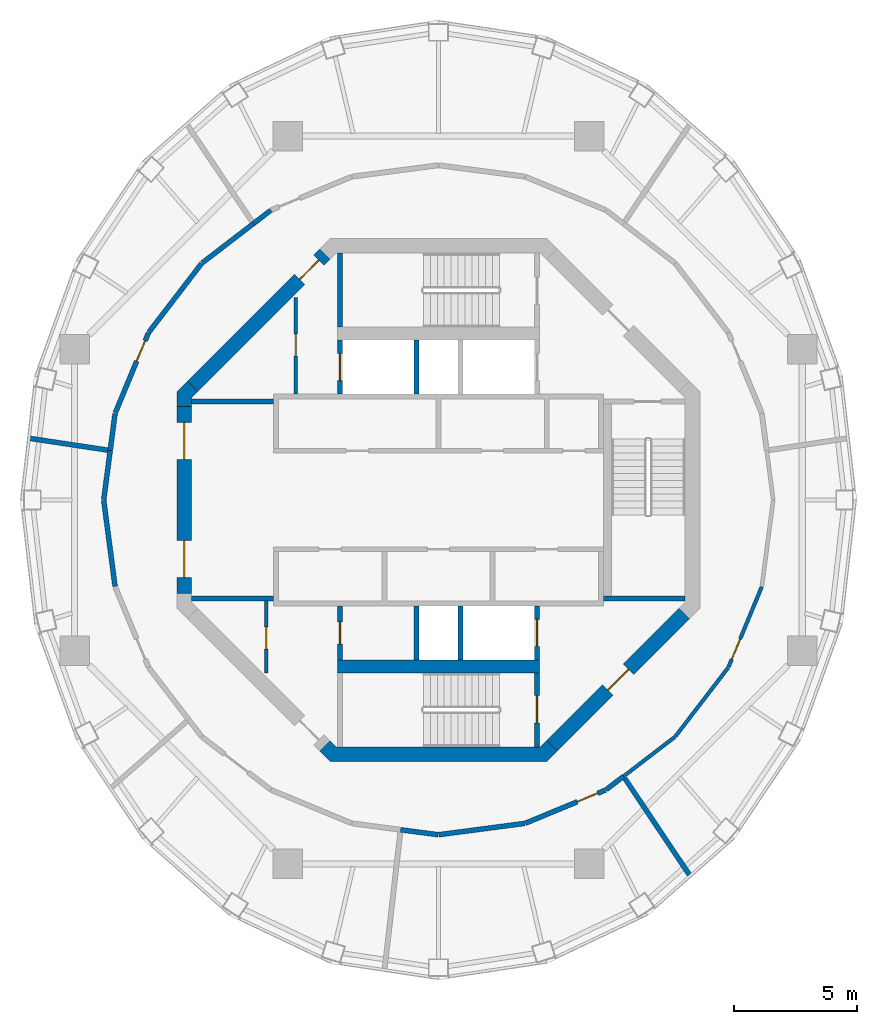
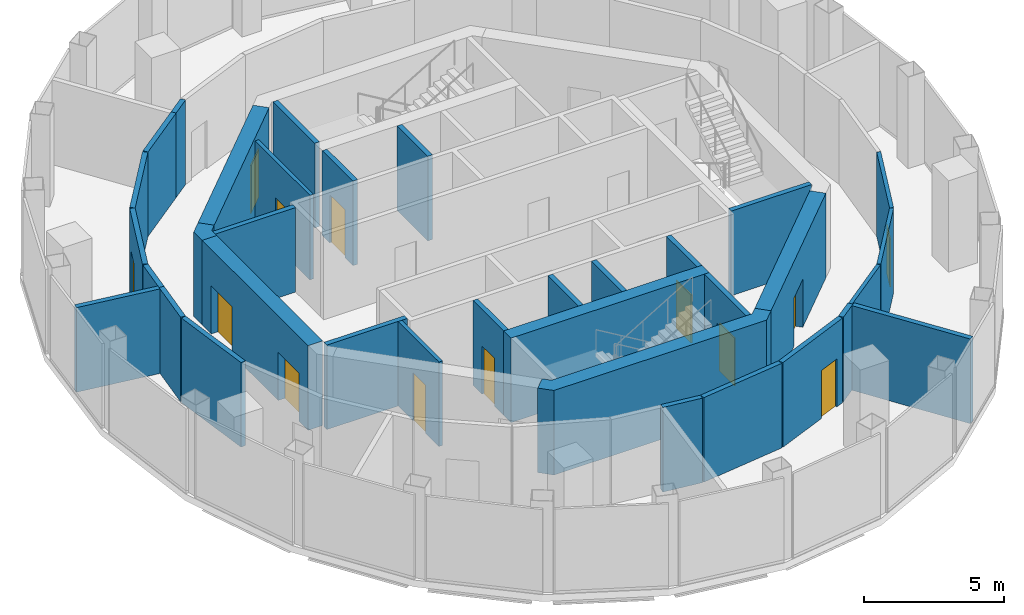
# One storey, part 8 of 11: 35 walls, 13 doors, 13 openings.
"""IFC4 building model written with IfcOpenShell, lengths in metres."""

from ifc_helpers import new_model, si_unit, direction, frame, frame_2d, origin, place, context, subcontext, project, spatial, polyline, rectangle, outline, extrude, material, layer, layer_set, type_object, element, fill, save


model = new_model("IFC4")

# Units and contexts
model_context = context("Model", 3, precision=1e-05, world=origin(), true_north=direction((0.0, 1.0)))
body_context = subcontext(model_context, "Body", "Model", "MODEL_VIEW")
ifc_project = project(units=[si_unit("LENGTHUNIT", "METRE"), si_unit("AREAUNIT", "SQUARE_METRE"), si_unit("VOLUMEUNIT", "CUBIC_METRE"), si_unit("PLANEANGLEUNIT", "RADIAN"), si_unit("MASSUNIT", "GRAM", prefix="KILO")], contexts=[model_context])

# Site, building, storey
site_placement = place(None, origin())
site = spatial("IfcSite", under=ifc_project, at=site_placement, CompositionType="ELEMENT")
building_placement = place(site_placement, origin())
building = spatial("IfcBuilding", under=site, at=building_placement, Name="Nagisa Residences", CompositionType="ELEMENT")
storey_placement = place(building_placement, frame((0.0, 0.0, 336.89990234375)))
storey = spatial("IfcBuildingStorey", under=building, at=storey_placement, Name="L83", CompositionType="ELEMENT", Elevation=336.89990234375)

# Wall, opening, door
ifc_material_1 = material(Name="Gypsum board on steel studs", Category="steel")
ifc_layer_1 = layer(ifc_material_1, 0.14990234375)
ifc_layer_set_1 = layer_set([ifc_layer_1], Name="Core partition 150")
wall_type_1 = type_object("IfcWallType", Name="Core partition 150", PredefinedType="PARTITIONING", material=ifc_layer_set_1)
wall_1_placement = place(storey_placement, frame((-5.800048828125, 4.300048828125, 0.0), z_axis=(0.0, 0.0, 1.0), x_axis=(0.0, 1.0, 0.0)))
wall_1 = element("IfcWall", 1, at=wall_1_placement, inside=storey, type_object=wall_type_1, Name="wall:L83:NWp", PredefinedType="PARTITIONING", context=body_context, shape_type="SweptSolid", body=[
    extrude(rectangle(XDim=3.927001953125, YDim=0.14990234375, at=frame_2d((1.96337890625, 0.0))), origin(), (0.0, 0.0, 1.0), 3.7001953125),
])
opening_1_placement = place(wall_1_placement, frame((1.551025390625, 0.0, 0.0)))
opening_1 = element("IfcOpeningElement", 2, at=opening_1_placement, cuts=wall_1, Name="Opening L83-C07", PredefinedType="OPENING", context=body_context, shape_type="SweptSolid", body=[
    extrude(rectangle(XDim=0.89990234375, YDim=2.10009765625, at=frame_2d((0.449951171875, 1.050048828125))), frame((0.0, 0.0849609375, 0.0), z_axis=(0.0, -1.0, 0.0), x_axis=(1.0, 0.0, 0.0)), (0.0, 0.0, 1.0), 0.169921875),
])
ifc_material_2 = material(Name="Steel fire door", Category="steel")
door_type_1 = type_object("IfcDoorType", Name="Fire door EI30 900x2100 single swing", OperationType="NOTDEFINED", PredefinedType="DOOR", material=ifc_material_2)
door_1_placement = place(opening_1_placement, origin())
door_1 = element("IfcDoor", 3, at=door_1_placement, inside=storey, type_object=door_type_1, Name="Hose reel store door L83", OperationType="SINGLE_SWING_LEFT", OverallHeight=2.10009765625, OverallWidth=0.89990234375, PredefinedType="DOOR", context=body_context, shape_type="SweptSolid", body=[
    extrude(rectangle(XDim=0.89990234375, YDim=2.10009765625, at=frame_2d((0.449951171875, 1.050048828125))), frame((0.0, 0.02490234375, 0.0), z_axis=(0.0, -1.0, 0.0), x_axis=(1.0, 0.0, 0.0)), (0.0, 0.0, 1.0), 0.050048828125),
])
fill(opening_1, door_1)

wall_2_placement = place(storey_placement, frame((-7.0, -7.02685546875, 0.0), z_axis=(0.0, 0.0, 1.0), x_axis=(0.0, 1.0, 0.0)))
wall_2 = element("IfcWall", 4, at=wall_2_placement, inside=storey, type_object=wall_type_1, Name="wall:L83:SWp", PredefinedType="PARTITIONING", context=body_context, shape_type="SweptSolid", body=[
    extrude(rectangle(XDim=2.9267578125, YDim=0.14990234375, at=frame_2d((1.46337890625, 0.0))), origin(), (0.0, 0.0, 1.0), 3.7001953125),
])
opening_2_placement = place(wall_2_placement, frame((0.97607421875, 0.0, 0.0)))
opening_2 = element("IfcOpeningElement", 5, at=opening_2_placement, cuts=wall_2, Name="Opening L83-C08", PredefinedType="OPENING", context=body_context, shape_type="SweptSolid", body=[
    extrude(rectangle(XDim=0.89990234375, YDim=2.10009765625, at=frame_2d((0.449951171875, 1.050048828125))), frame((0.0, 0.0849609375, 0.0), z_axis=(0.0, -1.0, 0.0), x_axis=(1.0, 0.0, 0.0)), (0.0, 0.0, 1.0), 0.169921875),
])
door_2_placement = place(opening_2_placement, origin())
door_2 = element("IfcDoor", 6, at=door_2_placement, inside=storey, type_object=door_type_1, Name="Valet store door L83", OperationType="SINGLE_SWING_LEFT", OverallHeight=2.10009765625, OverallWidth=0.89990234375, PredefinedType="DOOR", context=body_context, shape_type="SweptSolid", body=[
    extrude(rectangle(XDim=0.89990234375, YDim=2.10009765625, at=frame_2d((0.449951171875, 1.050048828125))), frame((0.0, 0.02490234375, 0.0), z_axis=(0.0, -1.0, 0.0), x_axis=(1.0, 0.0, 0.0)), (0.0, 0.0, 1.0), 0.050048828125),
])
fill(opening_2, door_2)

# Walls
ifc_material_3 = material(Name="Gypsum board on steel studs", Category="steel")
ifc_layer_2 = layer(ifc_material_3, 0.199951171875)
ifc_layer_set_2 = layer_set([ifc_layer_2], Name="Core partition 200")
wall_type_2 = type_object("IfcWallType", Name="Core partition 200", PredefinedType="PARTITIONING", material=ifc_layer_set_2)
for number, where, z_axis, x_axis, name in (
    (7, (-10.024658203125, -4.0, 0.0), (0.0, 0.0, 1.0), (1.0, 0.0, 0.0), "wall:L83:PSW"),
    (8, (-10.024658203125, 4.0, 0.0), (0.0, 0.0, 1.0), (1.0, 0.0, 0.0), "wall:L83:PNW"),
):
    element("IfcWall", number, at=place(storey_placement, frame(where, z_axis=z_axis, x_axis=x_axis)), inside=storey, type_object=wall_type_2, Name=name, PredefinedType="PARTITIONING", context=body_context, shape_type="SweptSolid", body=[
        extrude(rectangle(XDim=3.32470703125, YDim=0.199951171875, at=frame_2d((1.662353515625, 0.0))), origin(), (0.0, 0.0, 1.0), 3.7001953125),
    ])

# Wall, opening, door
ifc_material_4 = material(Name="Concrete C60", Category="concrete")
ifc_layer_3 = layer(ifc_material_4, 0.60009765625)
ifc_layer_set_3 = layer_set([ifc_layer_3], Name="Core shear wall 600")
wall_type_3 = type_object("IfcWallType", Name="Core shear wall 600", PredefinedType="SHEAR", material=ifc_layer_set_3)
wall_3_placement = place(storey_placement, frame((-4.613037109375, 9.98828125, 0.0), z_axis=(0.0, 0.0, 1.0), x_axis=(-0.707106781187, -0.707106781187, 0.0)))
wall_3 = element("IfcWall", 9, at=wall_3_placement, inside=storey, type_object=wall_type_3, Name="wall:L83:core:flat3", PredefinedType="SHEAR", context=body_context, shape_type="SweptSolid", body=[
    extrude(rectangle(XDim=7.601806640625, YDim=0.60009765625, at=frame_2d((3.80078125, 0.0))), origin(), (0.0, 0.0, 1.0), 3.7001953125),
])
opening_3_placement = place(wall_3_placement, frame((0.350830078125, 0.0, 0.0)))
opening_3 = element("IfcOpeningElement", 10, at=opening_3_placement, cuts=wall_3, Name="Opening L83-C20", PredefinedType="OPENING", context=body_context, shape_type="SweptSolid", body=[
    extrude(rectangle(XDim=1.10009765625, YDim=2.10009765625, at=frame_2d((0.550048828125, 1.050048828125))), frame((0.0, 0.31005859375, 0.0), z_axis=(0.0, -1.0, 0.0), x_axis=(1.0, 0.0, 0.0)), (0.0, 0.0, 1.0), 0.6201171875),
])
ifc_material_5 = material(Name="Steel fire door", Category="steel")
door_type_2 = type_object("IfcDoorType", Name="Fire door EI60 1100x2100 single swing", OperationType="NOTDEFINED", PredefinedType="DOOR", material=ifc_material_5)
door_3_placement = place(opening_3_placement, origin())
door_3 = element("IfcDoor", 11, at=door_3_placement, inside=storey, type_object=door_type_2, Name="Service lobby door L83", OperationType="SINGLE_SWING_RIGHT", OverallHeight=2.10009765625, OverallWidth=1.10009765625, PredefinedType="DOOR", context=body_context, shape_type="SweptSolid", body=[
    extrude(rectangle(XDim=1.10009765625, YDim=2.10009765625, at=frame_2d((0.550048828125, 1.050048828125))), frame((0.0, 0.02490234375, 0.0), z_axis=(0.0, -1.0, 0.0), x_axis=(1.0, 0.0, 0.0)), (0.0, 0.0, 1.0), 0.050048828125),
])
fill(opening_3, door_3)

# Wall, openings, doors
wall_4_placement = place(storey_placement, frame((-10.32470703125, 3.80078125, 0.0), z_axis=(0.0, 0.0, 1.0), x_axis=(0.0, -1.0, 0.0)))
wall_4 = element("IfcWall", 12, at=wall_4_placement, inside=storey, type_object=wall_type_3, Name="wall:L83:core:flat4", PredefinedType="SHEAR", context=body_context, shape_type="SweptSolid", body=[
    extrude(rectangle(XDim=7.6015625, YDim=0.60009765625, at=frame_2d((3.80078125, 0.0))), origin(), (0.0, 0.0, 1.0), 3.7001953125),
])
opening_4_placement = place(wall_4_placement, frame((0.65087890625, 0.0, 0.0)))
opening_4 = element("IfcOpeningElement", 13, at=opening_4_placement, cuts=wall_4, Name="Opening L83-C18", PredefinedType="OPENING", context=body_context, shape_type="SweptSolid", body=[
    extrude(rectangle(XDim=1.5, YDim=2.10009765625, at=frame_2d((0.75, 1.050048828125))), frame((0.0, 0.31005859375, 0.0), z_axis=(0.0, -1.0, 0.0), x_axis=(1.0, 0.0, 0.0)), (0.0, 0.0, 1.0), 0.6201171875),
])
opening_5_placement = place(wall_4_placement, frame((5.450927734375, 0.0, 0.0)))
opening_5 = element("IfcOpeningElement", 14, at=opening_5_placement, cuts=wall_4, Name="Opening L83-C19", PredefinedType="OPENING", context=body_context, shape_type="SweptSolid", body=[
    extrude(rectangle(XDim=1.5, YDim=2.10009765625, at=frame_2d((0.75, 1.050048828125))), frame((0.0, 0.31005859375, 0.0), z_axis=(0.0, -1.0, 0.0), x_axis=(1.0, 0.0, 0.0)), (0.0, 0.0, 1.0), 0.6201171875),
])
ifc_material_6 = material(Name="Steel fire door", Category="steel")
door_type_3 = type_object("IfcDoorType", Name="Fire door EI60 1500x2100 double door single swing", OperationType="DOUBLE_DOOR_SINGLE_SWING", PredefinedType="DOOR", material=ifc_material_6)
door_4_placement = place(opening_4_placement, origin())
door_4 = element("IfcDoor", 15, at=door_4_placement, inside=storey, type_object=door_type_3, Name="Lift lobby door L83 1", OperationType="DOUBLE_DOOR_SINGLE_SWING", OverallHeight=2.10009765625, OverallWidth=1.5, PredefinedType="DOOR", context=body_context, shape_type="SweptSolid", body=[
    extrude(rectangle(XDim=1.5, YDim=2.10009765625, at=frame_2d((0.75, 1.050048828125))), frame((0.0, 0.02490234375, 0.0), z_axis=(0.0, -1.0, 0.0), x_axis=(1.0, 0.0, 0.0)), (0.0, 0.0, 1.0), 0.050048828125),
])
fill(opening_4, door_4)
door_5_placement = place(opening_5_placement, origin())
door_5 = element("IfcDoor", 16, at=door_5_placement, inside=storey, type_object=door_type_3, Name="Lift lobby door L83 2", OperationType="DOUBLE_DOOR_SINGLE_SWING", OverallHeight=2.10009765625, OverallWidth=1.5, PredefinedType="DOOR", context=body_context, shape_type="SweptSolid", body=[
    extrude(rectangle(XDim=1.5, YDim=2.10009765625, at=frame_2d((0.75, 1.050048828125))), frame((0.0, 0.02490234375, 0.0), z_axis=(0.0, -1.0, 0.0), x_axis=(1.0, 0.0, 0.0)), (0.0, 0.0, 1.0), 0.050048828125),
])
fill(opening_5, door_5)

# Wall, opening, door
wall_5_placement = place(storey_placement, frame((4.613037109375, -9.98828125, 0.0), z_axis=(0.0, 0.0, 1.0), x_axis=(0.707106781187, 0.707106781187, 0.0)))
wall_5 = element("IfcWall", 17, at=wall_5_placement, inside=storey, type_object=wall_type_3, Name="wall:L83:core:flat7", PredefinedType="SHEAR", context=body_context, shape_type="SweptSolid", body=[
    extrude(rectangle(XDim=7.601806640625, YDim=0.60009765625, at=frame_2d((3.80078125, 0.0))), origin(), (0.0, 0.0, 1.0), 3.7001953125),
])
opening_6_placement = place(wall_5_placement, frame((3.200927734375, 0.0, 0.0)))
opening_6 = element("IfcOpeningElement", 18, at=opening_6_placement, cuts=wall_5, Name="Opening L83-C17", PredefinedType="OPENING", context=body_context, shape_type="SweptSolid", body=[
    extrude(rectangle(XDim=1.199951171875, YDim=2.10009765625, at=frame_2d((0.60009765625, 1.050048828125))), frame((0.0, 0.31005859375, 0.0), z_axis=(0.0, -1.0, 0.0), x_axis=(1.0, 0.0, 0.0)), (0.0, 0.0, 1.0), 0.6201171875),
])
ifc_material_7 = material(Name="Steel fire door", Category="steel")
door_type_4 = type_object("IfcDoorType", Name="Fire door EI60 1200x2100 single swing", OperationType="NOTDEFINED", PredefinedType="DOOR", material=ifc_material_7)
door_6_placement = place(opening_6_placement, origin())
door_6 = element("IfcDoor", 19, at=door_6_placement, inside=storey, type_object=door_type_4, Name="Firefighting lobby 2 door L83", OperationType="SINGLE_SWING_RIGHT", OverallHeight=2.10009765625, OverallWidth=1.199951171875, PredefinedType="DOOR", context=body_context, shape_type="SweptSolid", body=[
    extrude(rectangle(XDim=1.199951171875, YDim=2.10009765625, at=frame_2d((0.60009765625, 1.050048828125))), frame((0.0, 0.02490234375, 0.0), z_axis=(0.0, -1.0, 0.0), x_axis=(1.0, 0.0, 0.0)), (0.0, 0.0, 1.0), 0.050048828125),
])
fill(opening_6, door_6)

# Walls
wall_6_placement = place(storey_placement, origin())
element("IfcWall", 20, at=wall_6_placement, inside=storey, type_object=wall_type_3, Name="wall:L83:core:pier3", PredefinedType="SHEAR", context=body_context, shape_type="SweptSolid", body=[
    extrude(outline(polyline([(-10.200439453125, 4.8251953125), (-9.776123046875, 4.40087890625), (-10.024658203125, 4.15234375), (-10.024658203125, 3.80078125), (-10.62451171875, 3.80078125), (-10.62451171875, 4.40087890625), (-10.200439453125, 4.8251953125)])), origin(), (0.0, 0.0, 1.0), 3.7001953125),
])
wall_7_placement = place(storey_placement, origin())
element("IfcWall", 21, at=wall_7_placement, inside=storey, type_object=wall_type_3, Name="wall:L83:core:flat6", PredefinedType="SHEAR", context=body_context, shape_type="SweptSolid", body=[
    extrude(outline(polyline([(-4.15234375, -10.024658203125), (4.15234375, -10.024658203125), (4.40087890625, -9.776123046875), (4.8251953125, -10.200439453125), (4.40087890625, -10.62451171875), (-4.40087890625, -10.62451171875), (-4.8251953125, -10.200439453125), (-4.40087890625, -9.776123046875), (-4.15234375, -10.024658203125)])), origin(), (0.0, 0.0, 1.0), 3.7001953125),
])

# Wall, opening, door
ifc_material_8 = material(Name="Concrete C60", Category="concrete")
ifc_layer_4 = layer(ifc_material_8, 0.199951171875)
ifc_layer_set_4 = layer_set([ifc_layer_4], Name="Lift shaft wall 200")
wall_type_4 = type_object("IfcWallType", Name="Lift shaft wall 200", PredefinedType="SOLIDWALL", material=ifc_layer_set_4)
wall_8_placement = place(storey_placement, frame((-4.0, 4.300048828125, 0.0), z_axis=(0.0, 0.0, 1.0), x_axis=(0.0, 1.0, 0.0)))
wall_8 = element("IfcWall", 22, at=wall_8_placement, inside=storey, type_object=wall_type_4, Name="wall:L83:Nb4", PredefinedType="SOLIDWALL", context=body_context, shape_type="SweptSolid", body=[
    extrude(rectangle(XDim=2.199951171875, YDim=0.199951171875, at=frame_2d((1.10009765625, 0.0))), origin(), (0.0, 0.0, 1.0), 3.7001953125),
])
opening_7_placement = place(wall_8_placement, frame((0.550048828125, 0.0, 0.0)))
opening_7 = element("IfcOpeningElement", 23, at=opening_7_placement, cuts=wall_8, Name="Opening L83-C03", PredefinedType="OPENING", context=body_context, shape_type="SweptSolid", body=[
    extrude(rectangle(XDim=1.10009765625, YDim=2.10009765625, at=frame_2d((0.550048828125, 1.050048828125))), frame((0.0, 0.10986328125, 0.0), z_axis=(0.0, -1.0, 0.0), x_axis=(1.0, 0.0, 0.0)), (0.0, 0.0, 1.0), 0.219970703125),
])
ifc_material_9 = material(Name="Stainless steel", Category="steel")
door_type_5 = type_object("IfcDoorType", Name="Lift landing door 1100x2100", OperationType="DOUBLE_DOOR_SLIDING", PredefinedType="DOOR", material=ifc_material_9)
door_7_placement = place(opening_7_placement, origin())
door_7 = element("IfcDoor", 24, at=door_7_placement, inside=storey, type_object=door_type_5, Name="Landing door SV L83", OperationType="DOUBLE_DOOR_SLIDING", OverallHeight=2.10009765625, OverallWidth=1.10009765625, PredefinedType="DOOR", context=body_context, shape_type="SweptSolid", body=[
    extrude(rectangle(XDim=1.10009765625, YDim=2.10009765625, at=frame_2d((0.550048828125, 1.050048828125))), frame((0.0, 0.02490234375, 0.0), z_axis=(0.0, -1.0, 0.0), x_axis=(1.0, 0.0, 0.0)), (0.0, 0.0, 1.0), 0.050048828125),
])
fill(opening_7, door_7)

wall_9_placement = place(storey_placement, frame((4.0, -6.5, 0.0), z_axis=(0.0, 0.0, 1.0), x_axis=(0.0, 1.0, 0.0)))
wall_9 = element("IfcWall", 25, at=wall_9_placement, inside=storey, type_object=wall_type_4, Name="wall:L83:Sb3", PredefinedType="SOLIDWALL", context=body_context, shape_type="SweptSolid", body=[
    extrude(rectangle(XDim=2.199951171875, YDim=0.199951171875, at=frame_2d((1.10009765625, 0.0))), origin(), (0.0, 0.0, 1.0), 3.7001953125),
])
opening_8_placement = place(wall_9_placement, frame((0.550048828125, 0.0, 0.0)))
opening_8 = element("IfcOpeningElement", 26, at=opening_8_placement, cuts=wall_9, Name="Opening L83-C02", PredefinedType="OPENING", context=body_context, shape_type="SweptSolid", body=[
    extrude(rectangle(XDim=1.10009765625, YDim=2.10009765625, at=frame_2d((0.550048828125, 1.050048828125))), frame((0.0, 0.10986328125, 0.0), z_axis=(0.0, -1.0, 0.0), x_axis=(1.0, 0.0, 0.0)), (0.0, 0.0, 1.0), 0.219970703125),
])
door_8_placement = place(opening_8_placement, origin())
door_8 = element("IfcDoor", 27, at=door_8_placement, inside=storey, type_object=door_type_5, Name="Landing door FL2 L83", OperationType="DOUBLE_DOOR_SLIDING", OverallHeight=2.10009765625, OverallWidth=1.10009765625, PredefinedType="DOOR", context=body_context, shape_type="SweptSolid", body=[
    extrude(rectangle(XDim=1.10009765625, YDim=2.10009765625, at=frame_2d((0.550048828125, 1.050048828125))), frame((0.0, 0.02490234375, 0.0), z_axis=(0.0, -1.0, 0.0), x_axis=(1.0, 0.0, 0.0)), (0.0, 0.0, 1.0), 0.050048828125),
])
fill(opening_8, door_8)

wall_10_placement = place(storey_placement, frame((-4.0, -6.5, 0.0), z_axis=(0.0, 0.0, 1.0), x_axis=(0.0, 1.0, 0.0)))
wall_10 = element("IfcWall", 28, at=wall_10_placement, inside=storey, type_object=wall_type_4, Name="wall:L83:Sb4", PredefinedType="SOLIDWALL", context=body_context, shape_type="SweptSolid", body=[
    extrude(rectangle(XDim=2.199951171875, YDim=0.199951171875, at=frame_2d((1.10009765625, 0.0))), origin(), (0.0, 0.0, 1.0), 3.7001953125),
])
opening_9_placement = place(wall_10_placement, frame((0.64990234375, 0.0, 0.0)))
opening_9 = element("IfcOpeningElement", 29, at=opening_9_placement, cuts=wall_10, Name="Opening L83-C09", PredefinedType="OPENING", context=body_context, shape_type="SweptSolid", body=[
    extrude(rectangle(XDim=0.89990234375, YDim=2.10009765625, at=frame_2d((0.449951171875, 1.050048828125))), frame((0.0, 0.10986328125, 0.0), z_axis=(0.0, -1.0, 0.0), x_axis=(1.0, 0.0, 0.0)), (0.0, 0.0, 1.0), 0.219970703125),
])
door_9_placement = place(opening_9_placement, frame((0.89990234375, 0.0, 0.0), x_axis=(-1.0, 0.0, 0.0)))
door_9 = element("IfcDoor", 30, at=door_9_placement, inside=storey, type_object=door_type_1, Name="Refuse room door L83", OperationType="SINGLE_SWING_LEFT", OverallHeight=2.10009765625, OverallWidth=0.89990234375, PredefinedType="DOOR", context=body_context, shape_type="SweptSolid", body=[
    extrude(rectangle(XDim=0.89990234375, YDim=2.10009765625, at=frame_2d((0.449951171875, 1.050048828125))), frame((0.0, 0.02490234375, 0.0), z_axis=(0.0, -1.0, 0.0), x_axis=(1.0, 0.0, 0.0)), (0.0, 0.0, 1.0), 0.050048828125),
])
fill(opening_9, door_9)

# Walls
for number, where, z_axis, x_axis, name in (
    (31, (-0.89990234375, -6.5, 0.0), (0.0, 0.0, 1.0), (0.0, 1.0, 0.0), "wall:L83:Sb1"),
    (32, (0.89990234375, -6.5, 0.0), (0.0, 0.0, 1.0), (0.0, 1.0, 0.0), "wall:L83:Sb2"),
    (33, (-0.89990234375, 4.300048828125, 0.0), (0.0, 0.0, 1.0), (0.0, 1.0, 0.0), "wall:L83:Nb1"),
):
    element("IfcWall", number, at=place(storey_placement, frame(where, z_axis=z_axis, x_axis=x_axis)), inside=storey, type_object=wall_type_4, Name=name, PredefinedType="SOLIDWALL", context=body_context, shape_type="SweptSolid", body=[
        extrude(rectangle(XDim=2.199951171875, YDim=0.199951171875, at=frame_2d((1.10009765625, 0.0))), origin(), (0.0, 0.0, 1.0), 3.7001953125),
    ])
ifc_material_10 = material(Name="Gypsum board on steel studs", Category="steel")
ifc_layer_5 = layer(ifc_material_10, 0.199951171875)
ifc_layer_set_5 = layer_set([ifc_layer_5], Name="Plant room wall EI120 200")
wall_type_5 = type_object("IfcWallType", Name="Plant room wall EI120 200", PredefinedType="PARTITIONING", material=ifc_layer_set_5)
wall_11_placement = place(storey_placement, frame((-13.597900390625, 0.01513671875, 0.0), z_axis=(0.0, 0.0, 1.0), x_axis=(0.130526685544, 0.991444796426, 0.0)))
element("IfcWall", 34, at=wall_11_placement, inside=storey, type_object=wall_type_5, Name="wall:L83:am005", PredefinedType="PARTITIONING", context=body_context, shape_type="SweptSolid", body=[
    extrude(rectangle(XDim=2.0126953125, YDim=0.199951171875, at=frame_2d((1.00634765625, 0.0))), origin(), (0.0, 0.0, 1.0), 3.7001953125),
])
wall_12_placement = place(storey_placement, frame((-13.43408203125, 2.025390625, 0.0), z_axis=(0.0, 0.0, 1.0), x_axis=(-0.988817905908, 0.149127961685, 0.0)))
element("IfcWall", 35, at=wall_12_placement, inside=storey, type_object=wall_type_5, Name="wall:L83:am006", PredefinedType="PARTITIONING", context=body_context, shape_type="SweptSolid", body=[
    extrude(rectangle(XDim=3.213623046875, YDim=0.199951171875, at=frame_2d((1.60693359375, 0.0))), origin(), (0.0, 0.0, 1.0), 3.7001953125),
])
wall_13_placement = place(storey_placement, frame((-13.335205078125, 2.010498046875, 0.0), z_axis=(0.0, 0.0, 1.0), x_axis=(0.130391662061, 0.99146256332, 0.0)))
element("IfcWall", 36, at=wall_13_placement, inside=storey, type_object=wall_type_5, Name="wall:L83:am007", PredefinedType="PARTITIONING", context=body_context, shape_type="SweptSolid", body=[
    extrude(rectangle(XDim=1.50732421875, YDim=0.199951171875, at=frame_2d((0.753662109375, 0.0))), origin(), (0.0, 0.0, 1.0), 3.7001953125),
])
wall_14_placement = place(storey_placement, frame((-13.138671875, -3.5048828125, 0.0), z_axis=(0.0, 0.0, 1.0), x_axis=(-0.130468866457, 0.991452406768, 0.0)))
element("IfcWall", 37, at=wall_14_placement, inside=storey, type_object=wall_type_5, Name="wall:L83:am008", PredefinedType="PARTITIONING", context=body_context, shape_type="SweptSolid", body=[
    extrude(rectangle(XDim=3.519775390625, YDim=0.199951171875, at=frame_2d((1.759765625, 0.0))), origin(), (0.0, 0.0, 1.0), 3.7001953125),
])

# Wall, opening, door
wall_15_placement = place(storey_placement, frame((-13.130859375, 3.533935546875, 0.0), z_axis=(0.0, 0.0, 1.0), x_axis=(0.382723413813, 0.92386297064, 0.0)))
wall_15 = element("IfcWall", 38, at=wall_15_placement, inside=storey, type_object=wall_type_5, Name="wall:L83:am009", PredefinedType="PARTITIONING", context=body_context, shape_type="SweptSolid", body=[
    extrude(rectangle(XDim=3.52001953125, YDim=0.199951171875, at=frame_2d((1.760009765625, 0.0))), origin(), (0.0, 0.0, 1.0), 3.7001953125),
])
opening_10_placement = place(wall_15_placement, frame((2.277587890625, 0.0, 0.0)))
opening_10 = element("IfcOpeningElement", 39, at=opening_10_placement, cuts=wall_15, Name="Opening L83-A03", PredefinedType="OPENING", context=body_context, shape_type="SweptSolid", body=[
    extrude(rectangle(XDim=0.89990234375, YDim=2.10009765625, at=frame_2d((0.449951171875, 1.050048828125))), frame((0.0, 0.10986328125, 0.0), z_axis=(0.0, -1.0, 0.0), x_axis=(1.0, 0.0, 0.0)), (0.0, 0.0, 1.0), 0.219970703125),
])
ifc_material_11 = material(Name="Steel fire door", Category="steel")
door_type_6 = type_object("IfcDoorType", Name="Fire door EI120 900x2100 single swing", OperationType="NOTDEFINED", PredefinedType="DOOR", material=ifc_material_11)
door_10_placement = place(opening_10_placement, origin())
door_10 = element("IfcDoor", 40, at=door_10_placement, inside=storey, type_object=door_type_6, Name="Pump plant room door", OperationType="SINGLE_SWING_LEFT", OverallHeight=2.10009765625, OverallWidth=0.89990234375, PredefinedType="DOOR", context=body_context, shape_type="SweptSolid", body=[
    extrude(rectangle(XDim=0.89990234375, YDim=2.10009765625, at=frame_2d((0.449951171875, 1.050048828125))), frame((0.0, 0.02490234375, 0.0), z_axis=(0.0, -1.0, 0.0), x_axis=(1.0, 0.0, 0.0)), (0.0, 0.0, 1.0), 0.050048828125),
])
fill(opening_10, door_10)

# Walls
wall_16_placement = place(storey_placement, frame((-11.7685546875, 6.81201171875, 0.0), z_axis=(0.0, 0.0, 1.0), x_axis=(0.608697977542, 0.793402024283, 0.0)))
element("IfcWall", 41, at=wall_16_placement, inside=storey, type_object=wall_type_5, Name="wall:L83:am011", PredefinedType="PARTITIONING", context=body_context, shape_type="SweptSolid", body=[
    extrude(rectangle(XDim=3.52001953125, YDim=0.199951171875, at=frame_2d((1.760009765625, 0.0))), origin(), (0.0, 0.0, 1.0), 3.7001953125),
])
wall_17_placement = place(storey_placement, frame((-9.604736328125, 9.6259765625, 0.0), z_axis=(0.0, 0.0, 1.0), x_axis=(0.793395797287, 0.608706093979, 0.0)))
element("IfcWall", 42, at=wall_17_placement, inside=storey, type_object=wall_type_5, Name="wall:L83:am015", PredefinedType="PARTITIONING", context=body_context, shape_type="SweptSolid", body=[
    extrude(rectangle(XDim=2.6318359375, YDim=0.199951171875, at=frame_2d((1.31591796875, 0.0))), origin(), (0.0, 0.0, 1.0), 3.7001953125),
])
wall_18_placement = place(storey_placement, frame((-7.5166015625, 11.22802734375, 0.0), z_axis=(0.0, 0.0, 1.0), x_axis=(0.793420478802, 0.608673922407, 0.0)))
element("IfcWall", 43, at=wall_18_placement, inside=storey, type_object=wall_type_5, Name="wall:L83:am017", PredefinedType="PARTITIONING", context=body_context, shape_type="SweptSolid", body=[
    extrude(rectangle(XDim=0.887939453125, YDim=0.199951171875, at=frame_2d((0.44384765625, 0.0))), origin(), (0.0, 0.0, 1.0), 3.7001953125),
])
wall_19_placement = place(storey_placement, frame((-0.01513671875, -13.597900390625, 0.0), z_axis=(0.0, 0.0, 1.0), x_axis=(-0.991449967232, 0.13048740351, 0.0)))
element("IfcWall", 44, at=wall_19_placement, inside=storey, type_object=wall_type_5, Name="wall:L83:am024", PredefinedType="PARTITIONING", context=body_context, shape_type="SweptSolid", body=[
    extrude(rectangle(XDim=1.5361328125, YDim=0.199951171875, at=frame_2d((0.76806640625, 0.0))), origin(), (0.0, 0.0, 1.0), 3.7001953125),
])
wall_20_placement = place(storey_placement, frame((3.5048828125, -13.138671875, 0.0), z_axis=(0.0, 0.0, 1.0), x_axis=(-0.991452406768, -0.130468866457, 0.0)))
element("IfcWall", 45, at=wall_20_placement, inside=storey, type_object=wall_type_5, Name="wall:L83:am026", PredefinedType="PARTITIONING", context=body_context, shape_type="SweptSolid", body=[
    extrude(rectangle(XDim=3.519775390625, YDim=0.199951171875, at=frame_2d((1.759765625, 0.0))), origin(), (0.0, 0.0, 1.0), 3.7001953125),
])

# Wall, opening, door
wall_21_placement = place(storey_placement, frame((6.785888671875, -11.78369140625, 0.0), z_axis=(0.0, 0.0, 1.0), x_axis=(-0.92386297064, -0.382723413813, 0.0)))
wall_21 = element("IfcWall", 46, at=wall_21_placement, inside=storey, type_object=wall_type_5, Name="wall:L83:am028", PredefinedType="PARTITIONING", context=body_context, shape_type="SweptSolid", body=[
    extrude(rectangle(XDim=3.52001953125, YDim=0.199951171875, at=frame_2d((1.760009765625, 0.0))), origin(), (0.0, 0.0, 1.0), 3.7001953125),
])
opening_11_placement = place(wall_21_placement, frame((0.34228515625, 0.0, 0.0)))
opening_11 = element("IfcOpeningElement", 47, at=opening_11_placement, cuts=wall_21, Name="Opening L83-A06", PredefinedType="OPENING", context=body_context, shape_type="SweptSolid", body=[
    extrude(rectangle(XDim=0.89990234375, YDim=2.10009765625, at=frame_2d((0.449951171875, 1.050048828125))), frame((0.0, 0.10986328125, 0.0), z_axis=(0.0, -1.0, 0.0), x_axis=(1.0, 0.0, 0.0)), (0.0, 0.0, 1.0), 0.219970703125),
])
door_11_placement = place(opening_11_placement, origin())
door_11 = element("IfcDoor", 48, at=door_11_placement, inside=storey, type_object=door_type_6, Name="Mast power plant room door", OperationType="SINGLE_SWING_RIGHT", OverallHeight=2.10009765625, OverallWidth=0.89990234375, PredefinedType="DOOR", context=body_context, shape_type="SweptSolid", body=[
    extrude(rectangle(XDim=0.89990234375, YDim=2.10009765625, at=frame_2d((0.449951171875, 1.050048828125))), frame((0.0, 0.02490234375, 0.0), z_axis=(0.0, -1.0, 0.0), x_axis=(1.0, 0.0, 0.0)), (0.0, 0.0, 1.0), 0.050048828125),
])
fill(opening_11, door_11)

# Walls
wall_22_placement = place(storey_placement, frame((7.5166015625, -11.22802734375, 0.0), z_axis=(0.0, 0.0, 1.0), x_axis=(-0.793420478802, -0.608673922407, 0.0)))
element("IfcWall", 49, at=wall_22_placement, inside=storey, type_object=wall_type_5, Name="wall:L83:am030", PredefinedType="PARTITIONING", context=body_context, shape_type="SweptSolid", body=[
    extrude(rectangle(XDim=0.887939453125, YDim=0.199951171875, at=frame_2d((0.44384765625, 0.0))), origin(), (0.0, 0.0, 1.0), 3.7001953125),
])
wall_23_placement = place(storey_placement, frame((10.208984375, -15.25, 0.0), z_axis=(0.0, 0.0, 1.0), x_axis=(-0.55629198168, 0.830986901893, 0.0)))
element("IfcWall", 50, at=wall_23_placement, inside=storey, type_object=wall_type_5, Name="wall:L83:am034", PredefinedType="PARTITIONING", context=body_context, shape_type="SweptSolid", body=[
    extrude(rectangle(XDim=4.73974609375, YDim=0.199951171875, at=frame_2d((2.369873046875, 0.0))), origin(), (0.0, 0.0, 1.0), 3.7001953125),
])
ifc_material_12 = material(Name="Gypsum board on steel studs", Category="steel")
ifc_layer_6 = layer(ifc_material_12, 0.14990234375)
ifc_layer_set_6 = layer_set([ifc_layer_6], Name="Room partition EI60 150")
wall_type_6 = type_object("IfcWallType", Name="Room partition EI60 150", PredefinedType="PARTITIONING", material=ifc_layer_set_6)
wall_24_placement = place(storey_placement, frame((9.607177734375, -9.6240234375, 0.0), z_axis=(0.0, 0.0, 1.0), x_axis=(-0.793381127635, -0.608725214126, 0.0)))
element("IfcWall", 51, at=wall_24_placement, inside=storey, type_object=wall_type_6, Name="wall:L83:am000", PredefinedType="PARTITIONING", context=body_context, shape_type="SweptSolid", body=[
    extrude(rectangle(XDim=2.635009765625, YDim=0.14990234375, at=frame_2d((1.3173828125, 0.0))), origin(), (0.0, 0.0, 1.0), 3.7001953125),
])
wall_25_placement = place(storey_placement, frame((11.770751953125, -6.809326171875, 0.0), z_axis=(0.0, 0.0, 1.0), x_axis=(-0.608736710054, -0.793372307201, 0.0)))
element("IfcWall", 52, at=wall_25_placement, inside=storey, type_object=wall_type_6, Name="wall:L83:am001", PredefinedType="PARTITIONING", context=body_context, shape_type="SweptSolid", body=[
    extrude(rectangle(XDim=3.526611328125, YDim=0.14990234375, at=frame_2d((1.76318359375, 0.0))), origin(), (0.0, 0.0, 1.0), 3.7001953125),
])

# Wall, opening, door
wall_26_placement = place(storey_placement, frame((13.132080078125, -3.53076171875, 0.0), z_axis=(0.0, 0.0, 1.0), x_axis=(-0.382677866108, -0.923881838111, 0.0)))
wall_26 = element("IfcWall", 53, at=wall_26_placement, inside=storey, type_object=wall_type_6, Name="wall:L83:am002", PredefinedType="PARTITIONING", context=body_context, shape_type="SweptSolid", body=[
    extrude(rectangle(XDim=3.52685546875, YDim=0.14990234375, at=frame_2d((1.763427734375, 0.0))), origin(), (0.0, 0.0, 1.0), 3.7001953125),
])
opening_12_placement = place(wall_26_placement, frame((2.281005859375, 0.0, 0.0)))
opening_12 = element("IfcOpeningElement", 54, at=opening_12_placement, cuts=wall_26, Name="Opening L83-A07", PredefinedType="OPENING", context=body_context, shape_type="SweptSolid", body=[
    extrude(rectangle(XDim=0.89990234375, YDim=2.10009765625, at=frame_2d((0.449951171875, 1.050048828125))), frame((0.0, 0.0849609375, 0.0), z_axis=(0.0, -1.0, 0.0), x_axis=(1.0, 0.0, 0.0)), (0.0, 0.0, 1.0), 0.169921875),
])
door_12_placement = place(opening_12_placement, origin())
door_12 = element("IfcDoor", 55, at=door_12_placement, inside=storey, type_object=door_type_1, Name="Plant store door", OperationType="SINGLE_SWING_LEFT", OverallHeight=2.10009765625, OverallWidth=0.89990234375, PredefinedType="DOOR", context=body_context, shape_type="SweptSolid", body=[
    extrude(rectangle(XDim=0.89990234375, YDim=2.10009765625, at=frame_2d((0.449951171875, 1.050048828125))), frame((0.0, 0.02490234375, 0.0), z_axis=(0.0, -1.0, 0.0), x_axis=(1.0, 0.0, 0.0)), (0.0, 0.0, 1.0), 0.050048828125),
])
fill(opening_12, door_12)

ifc_material_13 = material(Name="Concrete C60", Category="concrete")
ifc_layer_7 = layer(ifc_material_13, 0.199951171875)
ifc_layer_set_7 = layer_set([ifc_layer_7], Name="Stair enclosure wall 200")
wall_type_7 = type_object("IfcWallType", Name="Stair enclosure wall 200", PredefinedType="SOLIDWALL", material=ifc_layer_set_7)
wall_27_placement = place(storey_placement, frame((4.0, -10.024658203125, 0.0), z_axis=(0.0, 0.0, 1.0), x_axis=(0.0, 1.0, 0.0)))
wall_27 = element("IfcWall", 56, at=wall_27_placement, inside=storey, type_object=wall_type_7, Name="wall:L83:SS_e", PredefinedType="SOLIDWALL", context=body_context, shape_type="SweptSolid", body=[
    extrude(rectangle(XDim=3.0, YDim=0.199951171875, at=frame_2d((1.5, 0.0))), origin(), (0.0, 0.0, 1.0), 3.7001953125),
])
opening_13_placement = place(wall_27_placement, frame((0.974609375, 0.0, 0.0)))
opening_13 = element("IfcOpeningElement", 57, at=opening_13_placement, cuts=wall_27, Name="Opening L83-C06", PredefinedType="OPENING", context=body_context, shape_type="SweptSolid", body=[
    extrude(rectangle(XDim=1.10009765625, YDim=2.10009765625, at=frame_2d((0.550048828125, 1.050048828125))), frame((0.0, 0.10986328125, 0.0), z_axis=(0.0, -1.0, 0.0), x_axis=(1.0, 0.0, 0.0)), (0.0, 0.0, 1.0), 0.219970703125),
])
ifc_material_14 = material(Name="Steel fire door", Category="steel")
door_type_7 = type_object("IfcDoorType", Name="Fire door EI90 1100x2100 single swing", OperationType="NOTDEFINED", PredefinedType="DOOR", material=ifc_material_14)
door_13_placement = place(opening_13_placement, origin())
door_13 = element("IfcDoor", 58, at=door_13_placement, inside=storey, type_object=door_type_7, Name="Stair door ST-S L83", OperationType="SINGLE_SWING_LEFT", OverallHeight=2.10009765625, OverallWidth=1.10009765625, PredefinedType="DOOR", context=body_context, shape_type="SweptSolid", body=[
    extrude(rectangle(XDim=1.10009765625, YDim=2.10009765625, at=frame_2d((0.550048828125, 1.050048828125))), frame((0.0, 0.02490234375, 0.0), z_axis=(0.0, -1.0, 0.0), x_axis=(1.0, 0.0, 0.0)), (0.0, 0.0, 1.0), 0.050048828125),
])
fill(opening_13, door_13)

# Walls
wall_28_placement = place(storey_placement, origin())
element("IfcWall", 59, at=wall_28_placement, inside=storey, type_object=wall_type_7, Name="wall:L83:SN_w", PredefinedType="SOLIDWALL", context=body_context, shape_type="SweptSolid", body=[
    extrude(outline(polyline([(-3.89990234375, 7.024658203125), (-4.10009765625, 7.024658203125), (-4.10009765625, 10.024658203125), (-3.89990234375, 10.024658203125), (-3.89990234375, 7.024658203125)])), origin(), (0.0, 0.0, 1.0), 3.7001953125),
])
wall_29_placement = place(storey_placement, origin())
element("IfcWall", 60, at=wall_29_placement, inside=storey, type_object=wall_type_7, Name="wall:L83:SS_n", PredefinedType="SOLIDWALL", context=body_context, shape_type="SweptSolid", body=[
    extrude(outline(polyline([(4.10009765625, -7.024658203125), (-4.10009765625, -7.024658203125), (-4.10009765625, -6.5), (4.10009765625, -6.5), (4.10009765625, -7.024658203125)])), origin(), (0.0, 0.0, 1.0), 3.7001953125),
])
wall_30_placement = place(storey_placement, origin())
element("IfcWall", 61, at=wall_30_placement, inside=storey, type_object=wall_type_7, Name="wall:L83:SE_s", PredefinedType="SOLIDWALL", context=body_context, shape_type="SweptSolid", body=[
    extrude(outline(polyline([(10.024658203125, -4.10009765625), (6.699951171875, -4.10009765625), (6.699951171875, -3.89990234375), (10.024658203125, -3.89990234375), (10.024658203125, -4.10009765625)])), origin(), (0.0, 0.0, 1.0), 3.7001953125),
])

save(model, "model.ifc")
